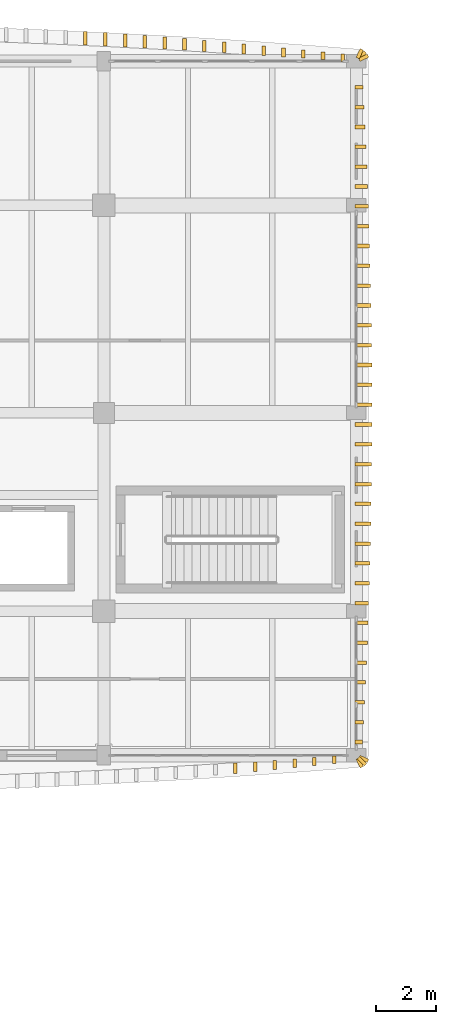
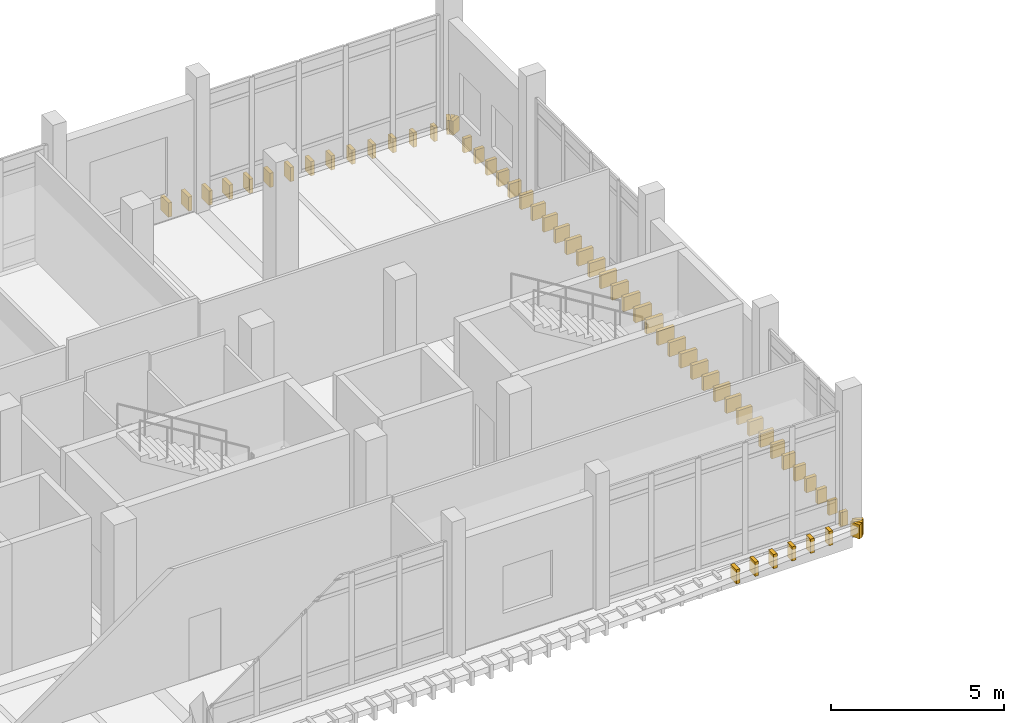
# One storey, part 36 of 39: 60 coverings.
"""IFC4 building model written with IfcOpenShell, lengths in metres."""

from ifc_helpers import new_model, si_unit, direction, frame, origin, origin_2d, place, context, subcontext, project, spatial, rectangle, extrude, material, layer, layer_set, type_object, element, save


model = new_model("IFC4")

# Units and contexts
model_context = context("Model", 3, precision=1e-05, world=origin(), true_north=direction((0.0, 1.0)))
body_context = subcontext(model_context, "Body", "Model", "MODEL_VIEW")
ifc_project = project(units=[si_unit("LENGTHUNIT", "METRE"), si_unit("AREAUNIT", "SQUARE_METRE"), si_unit("VOLUMEUNIT", "CUBIC_METRE"), si_unit("PLANEANGLEUNIT", "RADIAN"), si_unit("MASSUNIT", "GRAM", prefix="KILO")], contexts=[model_context])

# Site, building, storey
site_placement = place(None, origin())
site = spatial("IfcSite", under=ifc_project, at=site_placement, CompositionType="ELEMENT")
building_placement = place(site_placement, origin())
building = spatial("IfcBuilding", under=site, at=building_placement, Name="Dornvale Research Institute", CompositionType="ELEMENT")
storey_placement = place(building_placement, frame((0.0, 0.0, 24.60009765625)))
storey = spatial("IfcBuildingStorey", under=building, at=storey_placement, Name="L05", CompositionType="ELEMENT", Elevation=24.60009765625)

# Coverings
ifc_material = material(Name="Polychrome Glazed Terracotta Visor Rib Ceramic", Category="masonry")
ifc_layer = layer(ifc_material, 0.1201171875)
ifc_layer_set = layer_set([ifc_layer], Name="Polychrome Glazed Terracotta Visor Rib Ceramic")
covering_type = type_object("IfcCoveringType", Name="Covering_VisorBlade_Main", PredefinedType="CLADDING", material=ifc_layer_set)
covering_1_placement = place(storey_placement, frame((37.37451171875, 98.572998046875, -0.489990234375), z_axis=(0.0, 0.0, 1.0), x_axis=(0.0, 1.0, 0.0)))
element("IfcCovering", 1, at=covering_1_placement, inside=storey, type_object=covering_type, Name="L05 V5 canted glazed terracotta visor blade #843", PredefinedType="CLADDING", context=body_context, shape_type="SweptSolid", body=[
    extrude(rectangle(XDim=0.340087890625, YDim=0.1201171875, at=origin_2d()), origin(), (0.0, 0.0, 1.0), 0.5),
])
covering_2_placement = place(storey_placement, frame((38.033203125, 98.625244140625, -0.489990234375), z_axis=(0.0, 0.0, 1.0), x_axis=(0.0, 1.0, 0.0)))
element("IfcCovering", 2, at=covering_2_placement, inside=storey, type_object=covering_type, Name="L05 V5 canted glazed terracotta visor blade #844", PredefinedType="CLADDING", context=body_context, shape_type="SweptSolid", body=[
    extrude(rectangle(XDim=0.322021484375, YDim=0.1201171875, at=origin_2d()), origin(), (0.0, 0.0, 1.0), 0.5),
])
covering_3_placement = place(storey_placement, frame((38.69140625, 98.681884765625, -0.489990234375), z_axis=(0.0, 0.0, 1.0), x_axis=(0.0, 1.0, 0.0)))
element("IfcCovering", 3, at=covering_3_placement, inside=storey, type_object=covering_type, Name="L05 V5 canted glazed terracotta visor blade #845", PredefinedType="CLADDING", context=body_context, shape_type="SweptSolid", body=[
    extrude(rectangle(XDim=0.302978515625, YDim=0.1201171875, at=origin_2d()), origin(), (0.0, 0.0, 1.0), 0.5),
])
covering_4_placement = place(storey_placement, frame((39.349853515625, 98.739013671875, -0.489990234375), z_axis=(0.0, 0.0, 1.0), x_axis=(0.0, 1.0, 0.0)))
element("IfcCovering", 4, at=covering_4_placement, inside=storey, type_object=covering_type, Name="L05 V5 canted glazed terracotta visor blade #846", PredefinedType="CLADDING", context=body_context, shape_type="SweptSolid", body=[
    extrude(rectangle(XDim=0.283935546875, YDim=0.1201171875, at=origin_2d()), origin(), (0.0, 0.0, 1.0), 0.5),
])
covering_5_placement = place(storey_placement, frame((40.0078125, 98.798095703125, -0.489990234375), z_axis=(0.0, 0.0, 1.0), x_axis=(0.0, 1.0, 0.0)))
element("IfcCovering", 5, at=covering_5_placement, inside=storey, type_object=covering_type, Name="L05 V5 canted glazed terracotta visor blade #847", PredefinedType="CLADDING", context=body_context, shape_type="SweptSolid", body=[
    extrude(rectangle(XDim=0.263916015625, YDim=0.1201171875, at=origin_2d()), origin(), (0.0, 0.0, 1.0), 0.5),
])
covering_6_placement = place(storey_placement, frame((40.666015625, 98.860107421875, -0.489990234375), z_axis=(0.0, 0.0, 1.0), x_axis=(0.0, 1.0, 0.0)))
element("IfcCovering", 6, at=covering_6_placement, inside=storey, type_object=covering_type, Name="L05 V5 canted glazed terracotta visor blade #848", PredefinedType="CLADDING", context=body_context, shape_type="SweptSolid", body=[
    extrude(rectangle(XDim=0.243896484375, YDim=0.1201171875, at=origin_2d()), origin(), (0.0, 0.0, 1.0), 0.5),
])
covering_7_placement = place(storey_placement, frame((40.951416015625, 122.212890625, -0.489990234375), z_axis=(0.0, 0.0, 1.0), x_axis=(0.0, 1.0, 0.0)))
element("IfcCovering", 7, at=covering_7_placement, inside=storey, type_object=covering_type, Name="L05 V5 canted glazed terracotta visor blade #849", PredefinedType="CLADDING", context=body_context, shape_type="SweptSolid", body=[
    extrude(rectangle(XDim=0.235107421875, YDim=0.1201171875, at=origin_2d()), origin(), (0.0, 0.0, 1.0), 0.5),
])
covering_8_placement = place(storey_placement, frame((40.29345703125, 122.27490234375, -0.489990234375), z_axis=(0.0, 0.0, 1.0), x_axis=(0.0, 1.0, 0.0)))
element("IfcCovering", 8, at=covering_8_placement, inside=storey, type_object=covering_type, Name="L05 V5 canted glazed terracotta visor blade #850", PredefinedType="CLADDING", context=body_context, shape_type="SweptSolid", body=[
    extrude(rectangle(XDim=0.2548828125, YDim=0.1201171875, at=origin_2d()), origin(), (0.0, 0.0, 1.0), 0.5),
])
covering_9_placement = place(storey_placement, frame((39.635498046875, 122.33642578125, -0.489990234375), z_axis=(0.0, 0.0, 1.0), x_axis=(0.0, 1.0, 0.0)))
element("IfcCovering", 9, at=covering_9_placement, inside=storey, type_object=covering_type, Name="L05 V5 canted glazed terracotta visor blade #851", PredefinedType="CLADDING", context=body_context, shape_type="SweptSolid", body=[
    extrude(rectangle(XDim=0.27587890625, YDim=0.1201171875, at=origin_2d()), origin(), (0.0, 0.0, 1.0), 0.5),
])
covering_10_placement = place(storey_placement, frame((38.97705078125, 122.3935546875, -0.489990234375), z_axis=(0.0, 0.0, 1.0), x_axis=(0.0, 1.0, 0.0)))
element("IfcCovering", 10, at=covering_10_placement, inside=storey, type_object=covering_type, Name="L05 V5 canted glazed terracotta visor blade #852", PredefinedType="CLADDING", context=body_context, shape_type="SweptSolid", body=[
    extrude(rectangle(XDim=0.294921875, YDim=0.1201171875, at=origin_2d()), origin(), (0.0, 0.0, 1.0), 0.5),
])
covering_11_placement = place(storey_placement, frame((38.31884765625, 122.450439453125, -0.489990234375), z_axis=(0.0, 0.0, 1.0), x_axis=(0.0, 1.0, 0.0)))
element("IfcCovering", 11, at=covering_11_placement, inside=storey, type_object=covering_type, Name="L05 V5 canted glazed terracotta visor blade #853", PredefinedType="CLADDING", context=body_context, shape_type="SweptSolid", body=[
    extrude(rectangle(XDim=0.31396484375, YDim=0.1201171875, at=origin_2d()), origin(), (0.0, 0.0, 1.0), 0.5),
])
covering_12_placement = place(storey_placement, frame((37.660400390625, 122.50439453125, -0.489990234375), z_axis=(0.0, 0.0, 1.0), x_axis=(0.0, 1.0, 0.0)))
element("IfcCovering", 12, at=covering_12_placement, inside=storey, type_object=covering_type, Name="L05 V5 canted glazed terracotta visor blade #854", PredefinedType="CLADDING", context=body_context, shape_type="SweptSolid", body=[
    extrude(rectangle(XDim=0.33203125, YDim=0.1201171875, at=origin_2d()), origin(), (0.0, 0.0, 1.0), 0.5),
])
covering_13_placement = place(storey_placement, frame((37.001708984375, 122.55615234375, -0.489990234375), z_axis=(0.0, 0.0, 1.0), x_axis=(0.0, 1.0, 0.0)))
element("IfcCovering", 13, at=covering_13_placement, inside=storey, type_object=covering_type, Name="L05 V5 canted glazed terracotta visor blade #855", PredefinedType="CLADDING", context=body_context, shape_type="SweptSolid", body=[
    extrude(rectangle(XDim=0.34912109375, YDim=0.1201171875, at=origin_2d()), origin(), (0.0, 0.0, 1.0), 0.5),
])
covering_14_placement = place(storey_placement, frame((36.34326171875, 122.607421875, -0.489990234375), z_axis=(0.0, 0.0, 1.0), x_axis=(0.0, 1.0, 0.0)))
element("IfcCovering", 14, at=covering_14_placement, inside=storey, type_object=covering_type, Name="L05 V5 canted glazed terracotta visor blade #856", PredefinedType="CLADDING", context=body_context, shape_type="SweptSolid", body=[
    extrude(rectangle(XDim=0.365966796875, YDim=0.1201171875, at=origin_2d()), origin(), (0.0, 0.0, 1.0), 0.5),
])
covering_15_placement = place(storey_placement, frame((35.684326171875, 122.654296875, -0.489990234375), z_axis=(0.0, 0.0, 1.0), x_axis=(0.0, 1.0, 0.0)))
element("IfcCovering", 15, at=covering_15_placement, inside=storey, type_object=covering_type, Name="L05 V5 canted glazed terracotta visor blade #857", PredefinedType="CLADDING", context=body_context, shape_type="SweptSolid", body=[
    extrude(rectangle(XDim=0.382080078125, YDim=0.1201171875, at=origin_2d()), origin(), (0.0, 0.0, 1.0), 0.5),
])
covering_16_placement = place(storey_placement, frame((35.025390625, 122.70068359375, -0.489990234375), z_axis=(0.0, 0.0, 1.0), x_axis=(0.0, 1.0, 0.0)))
element("IfcCovering", 16, at=covering_16_placement, inside=storey, type_object=covering_type, Name="L05 V5 canted glazed terracotta visor blade #858", PredefinedType="CLADDING", context=body_context, shape_type="SweptSolid", body=[
    extrude(rectangle(XDim=0.39697265625, YDim=0.1201171875, at=origin_2d()), origin(), (0.0, 0.0, 1.0), 0.5),
])
covering_17_placement = place(storey_placement, frame((34.366455078125, 122.744384765625, -0.489990234375), z_axis=(0.0, 0.0, 1.0), x_axis=(0.0, 1.0, 0.0)))
element("IfcCovering", 17, at=covering_17_placement, inside=storey, type_object=covering_type, Name="L05 V5 canted glazed terracotta visor blade #859", PredefinedType="CLADDING", context=body_context, shape_type="SweptSolid", body=[
    extrude(rectangle(XDim=0.412109375, YDim=0.1201171875, at=origin_2d()), origin(), (0.0, 0.0, 1.0), 0.5),
])
covering_18_placement = place(storey_placement, frame((33.70751953125, 122.7861328125, -0.489990234375), z_axis=(0.0, 0.0, 1.0), x_axis=(0.0, 1.0, 0.0)))
element("IfcCovering", 18, at=covering_18_placement, inside=storey, type_object=covering_type, Name="L05 V5 canted glazed terracotta visor blade #860", PredefinedType="CLADDING", context=body_context, shape_type="SweptSolid", body=[
    extrude(rectangle(XDim=0.426025390625, YDim=0.1201171875, at=origin_2d()), origin(), (0.0, 0.0, 1.0), 0.5),
])
covering_19_placement = place(storey_placement, frame((33.04833984375, 122.826904296875, -0.489990234375), z_axis=(0.0, 0.0, 1.0), x_axis=(0.0, 1.0, 0.0)))
element("IfcCovering", 19, at=covering_19_placement, inside=storey, type_object=covering_type, Name="L05 V5 canted glazed terracotta visor blade #861", PredefinedType="CLADDING", context=body_context, shape_type="SweptSolid", body=[
    extrude(rectangle(XDim=0.43896484375, YDim=0.1201171875, at=origin_2d()), origin(), (0.0, 0.0, 1.0), 0.5),
])
covering_20_placement = place(storey_placement, frame((32.388916015625, 122.863525390625, -0.489990234375), z_axis=(0.0, 0.0, 1.0), x_axis=(0.0, 1.0, 0.0)))
element("IfcCovering", 20, at=covering_20_placement, inside=storey, type_object=covering_type, Name="L05 V5 canted glazed terracotta visor blade #862", PredefinedType="CLADDING", context=body_context, shape_type="SweptSolid", body=[
    extrude(rectangle(XDim=0.451904296875, YDim=0.1201171875, at=origin_2d()), origin(), (0.0, 0.0, 1.0), 0.5),
])
covering_21_placement = place(storey_placement, frame((41.48291015625, 99.449951171875, -0.489990234375), z_axis=(0.0, 0.0, 1.0), x_axis=(1.0, 0.0, 0.0)))
element("IfcCovering", 21, at=covering_21_placement, inside=storey, type_object=covering_type, Name="L05 V5 canted glazed terracotta visor blade #911", PredefinedType="CLADDING", context=body_context, shape_type="SweptSolid", body=[
    extrude(rectangle(XDim=0.24609375, YDim=0.1201171875, at=origin_2d()), origin(), (0.0, 0.0, 1.0), 0.5),
])
covering_22_placement = place(storey_placement, frame((41.5009765625, 100.110107421875, -0.489990234375), z_axis=(0.0, 0.0, 1.0), x_axis=(1.0, 0.0, 0.0)))
element("IfcCovering", 22, at=covering_22_placement, inside=storey, type_object=covering_type, Name="L05 V5 canted glazed terracotta visor blade #912", PredefinedType="CLADDING", context=body_context, shape_type="SweptSolid", body=[
    extrude(rectangle(XDim=0.281982421875, YDim=0.1201171875, at=origin_2d()), origin(), (0.0, 0.0, 1.0), 0.5),
])
covering_23_placement = place(storey_placement, frame((41.51806640625, 100.77001953125, -0.489990234375), z_axis=(0.0, 0.0, 1.0), x_axis=(1.0, 0.0, 0.0)))
element("IfcCovering", 23, at=covering_23_placement, inside=storey, type_object=covering_type, Name="L05 V5 canted glazed terracotta visor blade #913", PredefinedType="CLADDING", context=body_context, shape_type="SweptSolid", body=[
    extrude(rectangle(XDim=0.31591796875, YDim=0.1201171875, at=origin_2d()), origin(), (0.0, 0.0, 1.0), 0.5),
])
covering_24_placement = place(storey_placement, frame((41.533935546875, 101.429931640625, -0.489990234375), z_axis=(0.0, 0.0, 1.0), x_axis=(1.0, 0.0, 0.0)))
element("IfcCovering", 24, at=covering_24_placement, inside=storey, type_object=covering_type, Name="L05 V5 canted glazed terracotta visor blade #914", PredefinedType="CLADDING", context=body_context, shape_type="SweptSolid", body=[
    extrude(rectangle(XDim=0.347900390625, YDim=0.1201171875, at=origin_2d()), origin(), (0.0, 0.0, 1.0), 0.5),
])
covering_25_placement = place(storey_placement, frame((41.549072265625, 102.090087890625, -0.489990234375), z_axis=(0.0, 0.0, 1.0), x_axis=(1.0, 0.0, 0.0)))
element("IfcCovering", 25, at=covering_25_placement, inside=storey, type_object=covering_type, Name="L05 V5 canted glazed terracotta visor blade #915", PredefinedType="CLADDING", context=body_context, shape_type="SweptSolid", body=[
    extrude(rectangle(XDim=0.3779296875, YDim=0.1201171875, at=origin_2d()), origin(), (0.0, 0.0, 1.0), 0.5),
])
covering_26_placement = place(storey_placement, frame((41.5625, 102.75, -0.489990234375), z_axis=(0.0, 0.0, 1.0), x_axis=(1.0, 0.0, 0.0)))
element("IfcCovering", 26, at=covering_26_placement, inside=storey, type_object=covering_type, Name="L05 V5 canted glazed terracotta visor blade #916", PredefinedType="CLADDING", context=body_context, shape_type="SweptSolid", body=[
    extrude(rectangle(XDim=0.405029296875, YDim=0.1201171875, at=origin_2d()), origin(), (0.0, 0.0, 1.0), 0.5),
])
covering_27_placement = place(storey_placement, frame((41.574951171875, 103.409912109375, -0.489990234375), z_axis=(0.0, 0.0, 1.0), x_axis=(1.0, 0.0, 0.0)))
element("IfcCovering", 27, at=covering_27_placement, inside=storey, type_object=covering_type, Name="L05 V5 canted glazed terracotta visor blade #917", PredefinedType="CLADDING", context=body_context, shape_type="SweptSolid", body=[
    extrude(rectangle(XDim=0.429931640625, YDim=0.1201171875, at=origin_2d()), origin(), (0.0, 0.0, 1.0), 0.5),
])
covering_28_placement = place(storey_placement, frame((41.58642578125, 104.070068359375, -0.489990234375), z_axis=(0.0, 0.0, 1.0), x_axis=(1.0, 0.0, 0.0)))
element("IfcCovering", 28, at=covering_28_placement, inside=storey, type_object=covering_type, Name="L05 V5 canted glazed terracotta visor blade #918", PredefinedType="CLADDING", context=body_context, shape_type="SweptSolid", body=[
    extrude(rectangle(XDim=0.452880859375, YDim=0.1201171875, at=origin_2d()), origin(), (0.0, 0.0, 1.0), 0.5),
])
covering_29_placement = place(storey_placement, frame((41.596923828125, 104.72998046875, -0.489990234375), z_axis=(0.0, 0.0, 1.0), x_axis=(1.0, 0.0, 0.0)))
element("IfcCovering", 29, at=covering_29_placement, inside=storey, type_object=covering_type, Name="L05 V5 canted glazed terracotta visor blade #919", PredefinedType="CLADDING", context=body_context, shape_type="SweptSolid", body=[
    extrude(rectangle(XDim=0.47412109375, YDim=0.1201171875, at=origin_2d()), origin(), (0.0, 0.0, 1.0), 0.5),
])
covering_30_placement = place(storey_placement, frame((41.60595703125, 105.389892578125, -0.489990234375), z_axis=(0.0, 0.0, 1.0), x_axis=(1.0, 0.0, 0.0)))
element("IfcCovering", 30, at=covering_30_placement, inside=storey, type_object=covering_type, Name="L05 V5 canted glazed terracotta visor blade #920", PredefinedType="CLADDING", context=body_context, shape_type="SweptSolid", body=[
    extrude(rectangle(XDim=0.491943359375, YDim=0.1201171875, at=origin_2d()), origin(), (0.0, 0.0, 1.0), 0.5),
])
covering_31_placement = place(storey_placement, frame((41.614013671875, 106.050048828125, -0.489990234375), z_axis=(0.0, 0.0, 1.0), x_axis=(1.0, 0.0, 0.0)))
element("IfcCovering", 31, at=covering_31_placement, inside=storey, type_object=covering_type, Name="L05 V5 canted glazed terracotta visor blade #921", PredefinedType="CLADDING", context=body_context, shape_type="SweptSolid", body=[
    extrude(rectangle(XDim=0.508056640625, YDim=0.1201171875, at=origin_2d()), origin(), (0.0, 0.0, 1.0), 0.5),
])
covering_32_placement = place(storey_placement, frame((41.62109375, 106.7099609375, -0.489990234375), z_axis=(0.0, 0.0, 1.0), x_axis=(1.0, 0.0, 0.0)))
element("IfcCovering", 32, at=covering_32_placement, inside=storey, type_object=covering_type, Name="L05 V5 canted glazed terracotta visor blade #922", PredefinedType="CLADDING", context=body_context, shape_type="SweptSolid", body=[
    extrude(rectangle(XDim=0.52197265625, YDim=0.1201171875, at=origin_2d()), origin(), (0.0, 0.0, 1.0), 0.5),
])
covering_33_placement = place(storey_placement, frame((41.626953125, 107.3701171875, -0.489990234375), z_axis=(0.0, 0.0, 1.0), x_axis=(1.0, 0.0, 0.0)))
element("IfcCovering", 33, at=covering_33_placement, inside=storey, type_object=covering_type, Name="L05 V5 canted glazed terracotta visor blade #923", PredefinedType="CLADDING", context=body_context, shape_type="SweptSolid", body=[
    extrude(rectangle(XDim=0.533935546875, YDim=0.1201171875, at=origin_2d()), origin(), (0.0, 0.0, 1.0), 0.5),
])
covering_34_placement = place(storey_placement, frame((41.632080078125, 108.030029296875, -0.489990234375), z_axis=(0.0, 0.0, 1.0), x_axis=(1.0, 0.0, 0.0)))
element("IfcCovering", 34, at=covering_34_placement, inside=storey, type_object=covering_type, Name="L05 V5 canted glazed terracotta visor blade #924", PredefinedType="CLADDING", context=body_context, shape_type="SweptSolid", body=[
    extrude(rectangle(XDim=0.5439453125, YDim=0.1201171875, at=origin_2d()), origin(), (0.0, 0.0, 1.0), 0.5),
])
covering_35_placement = place(storey_placement, frame((41.635498046875, 108.68994140625, -0.489990234375), z_axis=(0.0, 0.0, 1.0), x_axis=(1.0, 0.0, 0.0)))
element("IfcCovering", 35, at=covering_35_placement, inside=storey, type_object=covering_type, Name="L05 V5 canted glazed terracotta visor blade #925", PredefinedType="CLADDING", context=body_context, shape_type="SweptSolid", body=[
    extrude(rectangle(XDim=0.551025390625, YDim=0.1201171875, at=origin_2d()), origin(), (0.0, 0.0, 1.0), 0.5),
])
covering_36_placement = place(storey_placement, frame((41.637939453125, 109.35009765625, -0.489990234375), z_axis=(0.0, 0.0, 1.0), x_axis=(1.0, 0.0, 0.0)))
element("IfcCovering", 36, at=covering_36_placement, inside=storey, type_object=covering_type, Name="L05 V5 canted glazed terracotta visor blade #926", PredefinedType="CLADDING", context=body_context, shape_type="SweptSolid", body=[
    extrude(rectangle(XDim=0.555908203125, YDim=0.1201171875, at=origin_2d()), origin(), (0.0, 0.0, 1.0), 0.5),
])
covering_37_placement = place(storey_placement, frame((41.639404296875, 110.010009765625, -0.489990234375), z_axis=(0.0, 0.0, 1.0), x_axis=(1.0, 0.0, 0.0)))
element("IfcCovering", 37, at=covering_37_placement, inside=storey, type_object=covering_type, Name="L05 V5 canted glazed terracotta visor blade #927", PredefinedType="CLADDING", context=body_context, shape_type="SweptSolid", body=[
    extrude(rectangle(XDim=0.55908203125, YDim=0.1201171875, at=origin_2d()), origin(), (0.0, 0.0, 1.0), 0.5),
])
covering_38_placement = place(storey_placement, frame((41.639892578125, 110.669921875, -0.489990234375), z_axis=(0.0, 0.0, 1.0), x_axis=(1.0, 0.0, 0.0)))
element("IfcCovering", 38, at=covering_38_placement, inside=storey, type_object=covering_type, Name="L05 V5 canted glazed terracotta visor blade #928", PredefinedType="CLADDING", context=body_context, shape_type="SweptSolid", body=[
    extrude(rectangle(XDim=0.56005859375, YDim=0.1201171875, at=origin_2d()), origin(), (0.0, 0.0, 1.0), 0.5),
])
covering_39_placement = place(storey_placement, frame((41.638916015625, 111.330078125, -0.489990234375), z_axis=(0.0, 0.0, 1.0), x_axis=(1.0, 0.0, 0.0)))
element("IfcCovering", 39, at=covering_39_placement, inside=storey, type_object=covering_type, Name="L05 V5 canted glazed terracotta visor blade #929", PredefinedType="CLADDING", context=body_context, shape_type="SweptSolid", body=[
    extrude(rectangle(XDim=0.55810546875, YDim=0.1201171875, at=origin_2d()), origin(), (0.0, 0.0, 1.0), 0.5),
])
covering_40_placement = place(storey_placement, frame((41.637451171875, 111.989990234375, -0.489990234375), z_axis=(0.0, 0.0, 1.0), x_axis=(1.0, 0.0, 0.0)))
element("IfcCovering", 40, at=covering_40_placement, inside=storey, type_object=covering_type, Name="L05 V5 canted glazed terracotta visor blade #930", PredefinedType="CLADDING", context=body_context, shape_type="SweptSolid", body=[
    extrude(rectangle(XDim=0.554931640625, YDim=0.1201171875, at=origin_2d()), origin(), (0.0, 0.0, 1.0), 0.5),
])
covering_41_placement = place(storey_placement, frame((41.634521484375, 112.64990234375, -0.489990234375), z_axis=(0.0, 0.0, 1.0), x_axis=(1.0, 0.0, 0.0)))
element("IfcCovering", 41, at=covering_41_placement, inside=storey, type_object=covering_type, Name="L05 V5 canted glazed terracotta visor blade #931", PredefinedType="CLADDING", context=body_context, shape_type="SweptSolid", body=[
    extrude(rectangle(XDim=0.549072265625, YDim=0.1201171875, at=origin_2d()), origin(), (0.0, 0.0, 1.0), 0.5),
])
covering_42_placement = place(storey_placement, frame((41.630615234375, 113.31005859375, -0.489990234375), z_axis=(0.0, 0.0, 1.0), x_axis=(1.0, 0.0, 0.0)))
element("IfcCovering", 42, at=covering_42_placement, inside=storey, type_object=covering_type, Name="L05 V5 canted glazed terracotta visor blade #932", PredefinedType="CLADDING", context=body_context, shape_type="SweptSolid", body=[
    extrude(rectangle(XDim=0.541015625, YDim=0.1201171875, at=origin_2d()), origin(), (0.0, 0.0, 1.0), 0.5),
])
covering_43_placement = place(storey_placement, frame((41.625, 113.969970703125, -0.489990234375), z_axis=(0.0, 0.0, 1.0), x_axis=(1.0, 0.0, 0.0)))
element("IfcCovering", 43, at=covering_43_placement, inside=storey, type_object=covering_type, Name="L05 V5 canted glazed terracotta visor blade #933", PredefinedType="CLADDING", context=body_context, shape_type="SweptSolid", body=[
    extrude(rectangle(XDim=0.530029296875, YDim=0.1201171875, at=origin_2d()), origin(), (0.0, 0.0, 1.0), 0.5),
])
covering_44_placement = place(storey_placement, frame((41.618896484375, 114.6298828125, -0.489990234375), z_axis=(0.0, 0.0, 1.0), x_axis=(1.0, 0.0, 0.0)))
element("IfcCovering", 44, at=covering_44_placement, inside=storey, type_object=covering_type, Name="L05 V5 canted glazed terracotta visor blade #934", PredefinedType="CLADDING", context=body_context, shape_type="SweptSolid", body=[
    extrude(rectangle(XDim=0.51806640625, YDim=0.1201171875, at=origin_2d()), origin(), (0.0, 0.0, 1.0), 0.5),
])
covering_45_placement = place(storey_placement, frame((41.611572265625, 115.2900390625, -0.489990234375), z_axis=(0.0, 0.0, 1.0), x_axis=(1.0, 0.0, 0.0)))
element("IfcCovering", 45, at=covering_45_placement, inside=storey, type_object=covering_type, Name="L05 V5 canted glazed terracotta visor blade #935", PredefinedType="CLADDING", context=body_context, shape_type="SweptSolid", body=[
    extrude(rectangle(XDim=0.5029296875, YDim=0.1201171875, at=origin_2d()), origin(), (0.0, 0.0, 1.0), 0.5),
])
covering_46_placement = place(storey_placement, frame((41.60302734375, 115.949951171875, -0.489990234375), z_axis=(0.0, 0.0, 1.0), x_axis=(1.0, 0.0, 0.0)))
element("IfcCovering", 46, at=covering_46_placement, inside=storey, type_object=covering_type, Name="L05 V5 canted glazed terracotta visor blade #936", PredefinedType="CLADDING", context=body_context, shape_type="SweptSolid", body=[
    extrude(rectangle(XDim=0.486083984375, YDim=0.1201171875, at=origin_2d()), origin(), (0.0, 0.0, 1.0), 0.5),
])
covering_47_placement = place(storey_placement, frame((41.593017578125, 116.610107421875, -0.489990234375), z_axis=(0.0, 0.0, 1.0), x_axis=(1.0, 0.0, 0.0)))
element("IfcCovering", 47, at=covering_47_placement, inside=storey, type_object=covering_type, Name="L05 V5 canted glazed terracotta visor blade #937", PredefinedType="CLADDING", context=body_context, shape_type="SweptSolid", body=[
    extrude(rectangle(XDim=0.466064453125, YDim=0.1201171875, at=origin_2d()), origin(), (0.0, 0.0, 1.0), 0.5),
])
covering_48_placement = place(storey_placement, frame((41.58251953125, 117.27001953125, -0.489990234375), z_axis=(0.0, 0.0, 1.0), x_axis=(1.0, 0.0, 0.0)))
element("IfcCovering", 48, at=covering_48_placement, inside=storey, type_object=covering_type, Name="L05 V5 canted glazed terracotta visor blade #938", PredefinedType="CLADDING", context=body_context, shape_type="SweptSolid", body=[
    extrude(rectangle(XDim=0.445068359375, YDim=0.1201171875, at=origin_2d()), origin(), (0.0, 0.0, 1.0), 0.5),
])
covering_49_placement = place(storey_placement, frame((41.570556640625, 117.929931640625, -0.489990234375), z_axis=(0.0, 0.0, 1.0), x_axis=(1.0, 0.0, 0.0)))
element("IfcCovering", 49, at=covering_49_placement, inside=storey, type_object=covering_type, Name="L05 V5 canted glazed terracotta visor blade #939", PredefinedType="CLADDING", context=body_context, shape_type="SweptSolid", body=[
    extrude(rectangle(XDim=0.4208984375, YDim=0.1201171875, at=origin_2d()), origin(), (0.0, 0.0, 1.0), 0.5),
])
covering_50_placement = place(storey_placement, frame((41.5576171875, 118.590087890625, -0.489990234375), z_axis=(0.0, 0.0, 1.0), x_axis=(1.0, 0.0, 0.0)))
element("IfcCovering", 50, at=covering_50_placement, inside=storey, type_object=covering_type, Name="L05 V5 canted glazed terracotta visor blade #940", PredefinedType="CLADDING", context=body_context, shape_type="SweptSolid", body=[
    extrude(rectangle(XDim=0.39501953125, YDim=0.1201171875, at=origin_2d()), origin(), (0.0, 0.0, 1.0), 0.5),
])
covering_51_placement = place(storey_placement, frame((41.54345703125, 119.25, -0.489990234375), z_axis=(0.0, 0.0, 1.0), x_axis=(1.0, 0.0, 0.0)))
element("IfcCovering", 51, at=covering_51_placement, inside=storey, type_object=covering_type, Name="L05 V5 canted glazed terracotta visor blade #941", PredefinedType="CLADDING", context=body_context, shape_type="SweptSolid", body=[
    extrude(rectangle(XDim=0.366943359375, YDim=0.1201171875, at=origin_2d()), origin(), (0.0, 0.0, 1.0), 0.5),
])
covering_52_placement = place(storey_placement, frame((41.528564453125, 119.909912109375, -0.489990234375), z_axis=(0.0, 0.0, 1.0), x_axis=(1.0, 0.0, 0.0)))
element("IfcCovering", 52, at=covering_52_placement, inside=storey, type_object=covering_type, Name="L05 V5 canted glazed terracotta visor blade #942", PredefinedType="CLADDING", context=body_context, shape_type="SweptSolid", body=[
    extrude(rectangle(XDim=0.3369140625, YDim=0.1201171875, at=origin_2d()), origin(), (0.0, 0.0, 1.0), 0.5),
])
covering_53_placement = place(storey_placement, frame((41.511962890625, 120.570068359375, -0.489990234375), z_axis=(0.0, 0.0, 1.0), x_axis=(1.0, 0.0, 0.0)))
element("IfcCovering", 53, at=covering_53_placement, inside=storey, type_object=covering_type, Name="L05 V5 canted glazed terracotta visor blade #943", PredefinedType="CLADDING", context=body_context, shape_type="SweptSolid", body=[
    extrude(rectangle(XDim=0.303955078125, YDim=0.1201171875, at=origin_2d()), origin(), (0.0, 0.0, 1.0), 0.5),
])
covering_54_placement = place(storey_placement, frame((41.494384765625, 121.22998046875, -0.489990234375), z_axis=(0.0, 0.0, 1.0), x_axis=(1.0, 0.0, 0.0)))
element("IfcCovering", 54, at=covering_54_placement, inside=storey, type_object=covering_type, Name="L05 V5 canted glazed terracotta visor blade #944", PredefinedType="CLADDING", context=body_context, shape_type="SweptSolid", body=[
    extrude(rectangle(XDim=0.26904296875, YDim=0.1201171875, at=origin_2d()), origin(), (0.0, 0.0, 1.0), 0.5),
])
for number, where, z_axis, x_axis, name in (
    (55, (41.51416015625, 98.75537109375, -0.489990234375), (0.0, 0.0, 1.0), (0.422618261741, -0.906307787037, 0.0), "L05 V5 corner-wrapping visor blade #982"),
    (56, (41.5908203125, 98.80908203125, -0.489990234375), (0.0, 0.0, 1.0), (0.707106781187, -0.707106781187, 0.0), "L05 V5 corner-wrapping visor blade #983"),
    (57, (41.644775390625, 98.885986328125, -0.489990234375), (0.0, 0.0, 1.0), (0.906307787037, -0.422618261741, 0.0), "L05 V5 corner-wrapping visor blade #984"),
    (58, (41.644775390625, 122.214111328125, -0.489990234375), (0.0, 0.0, 1.0), (0.906307787037, 0.422618261741, 0.0), "L05 V5 corner-wrapping visor blade #985"),
    (59, (41.5908203125, 122.291015625, -0.489990234375), (0.0, 0.0, 1.0), (0.707106781187, 0.707106781187, 0.0), "L05 V5 corner-wrapping visor blade #986"),
    (60, (41.51416015625, 122.3447265625, -0.489990234375), (0.0, 0.0, 1.0), (0.422618261741, 0.906307787037, 0.0), "L05 V5 corner-wrapping visor blade #987"),
):
    element("IfcCovering", number, at=place(storey_placement, frame(where, z_axis=z_axis, x_axis=x_axis)), inside=storey, type_object=covering_type, Name=name, PredefinedType="CLADDING", context=body_context, shape_type="SweptSolid", body=[
        extrude(rectangle(XDim=0.320068359375, YDim=0.1201171875, at=origin_2d()), origin(), (0.0, 0.0, 1.0), 0.5),
    ])

save(model, "model.ifc")
